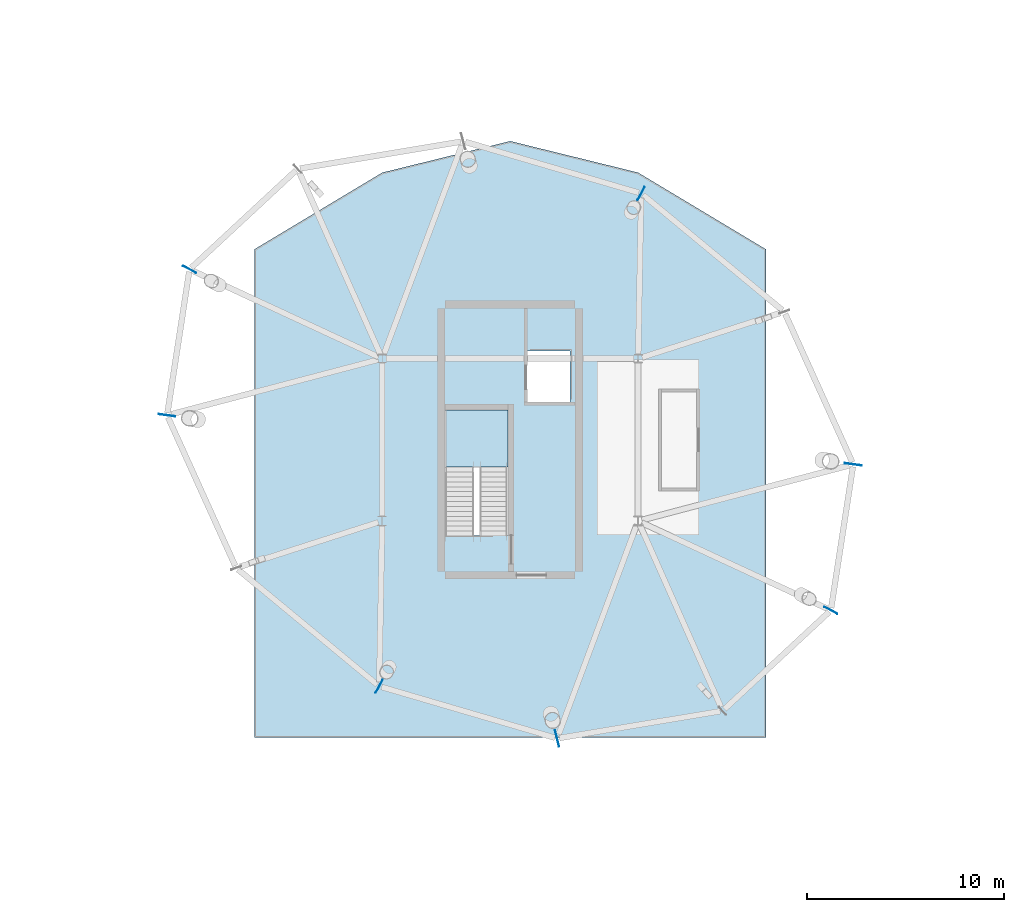
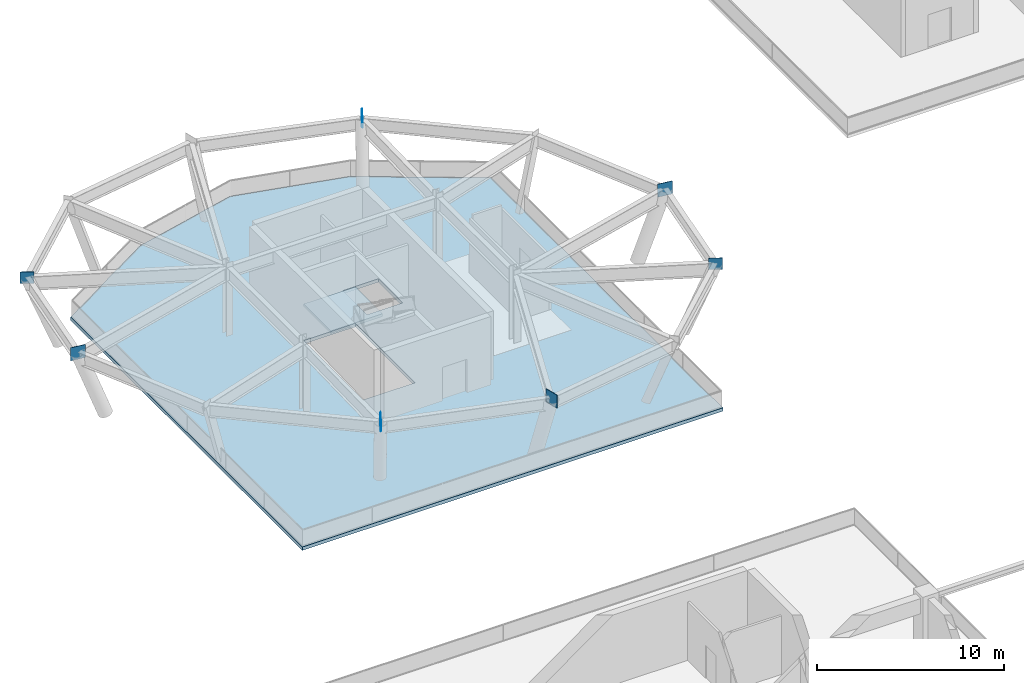
# One storey, part 52 of 91: 7 plates, 2 slabs, 1 element without a shape of its own.
"""IFC4 building model written with IfcOpenShell, lengths in metres."""

from ifc_helpers import new_model, si_unit, direction, frame, origin, origin_2d, place, context, subcontext, project, spatial, polyline, rectangle, outline, extrude, material, layer, layer_set, type_object, element, aggregate, save


model = new_model("IFC4")

# Units and contexts
model_context = context("Model", 3, precision=1e-05, world=origin(), true_north=direction((0.0, 1.0)))
body_context = subcontext(model_context, "Body", "Model", "MODEL_VIEW")
ifc_project = project(units=[si_unit("LENGTHUNIT", "METRE"), si_unit("AREAUNIT", "SQUARE_METRE"), si_unit("VOLUMEUNIT", "CUBIC_METRE"), si_unit("PLANEANGLEUNIT", "RADIAN"), si_unit("MASSUNIT", "GRAM", prefix="KILO")], contexts=[model_context])

# Site, building, storey
site_placement = place(None, origin())
site = spatial("IfcSite", under=ifc_project, at=site_placement, CompositionType="ELEMENT")
building_placement = place(site_placement, origin())
building = spatial("IfcBuilding", under=site, at=building_placement, Name="Linyun Crest Stadium", CompositionType="ELEMENT")
storey_placement = place(building_placement, frame((0.0, 0.0, 11.39990234375)))
storey = spatial("IfcBuildingStorey", under=building, at=storey_placement, Name="L03", CompositionType="ELEMENT", Elevation=11.39990234375)

# Plates
ifc_material_1 = material(Name="Steel Q420C", Category="steel")
ifc_layer_1 = layer(ifc_material_1, 0.028076171875)
ifc_layer_set_1 = layer_set([ifc_layer_1], Name="Steel Q420C")
plate_type = type_object("IfcPlateType", Name="EP03", PredefinedType="USERDEFINED", material=ifc_layer_set_1)
plate_1_placement = place(storey_placement, frame((-57.2119140625, 75.965087890625, 3.9697265625), z_axis=(0.0, 0.0, 1.0), x_axis=(0.883029517656, -0.46931745221, 0.0)))
element("IfcPlate", 1, at=plate_1_placement, inside=storey, type_object=plate_type, Name="Hollow section cap end plate EP03 342", ObjectType="END PLATE", PredefinedType="USERDEFINED", context=body_context, shape_type="SweptSolid", body=[
    extrude(rectangle(XDim=0.7509765625, YDim=0.028076171875, at=origin_2d()), origin(), (0.0, 0.0, 1.0), 0.7509765625),
])
plate_2_placement = place(storey_placement, frame((-56.072998046875, 83.37890625, 3.90966796875), z_axis=(0.0, 0.0, 1.0), x_axis=(0.990605176244, -0.136753006543, 0.0)))
element("IfcPlate", 2, at=plate_2_placement, inside=storey, type_object=plate_type, Name="Hollow section cap end plate EP03 347", ObjectType="END PLATE", PredefinedType="USERDEFINED", context=body_context, shape_type="SweptSolid", body=[
    extrude(rectangle(XDim=0.85302734375, YDim=0.028076171875, at=origin_2d()), origin(), (0.0, 0.0, 1.0), 0.85302734375),
])
for number, where, z_axis, x_axis, name in (
    (3, (-66.844970703125, 97.14306640625, 4.013671875), (0.0, 0.0, 1.0), (0.468855034724, 0.883275130644, 0.0), "Hollow section cap end plate EP03 357"),
    (4, (-89.7880859375, 93.284912109375, 3.9697265625), (0.0, 0.0, 1.0), (-0.883029517656, 0.46931745221, 0.0), "Hollow section cap end plate EP03 372"),
):
    element("IfcPlate", number, at=place(storey_placement, frame(where, z_axis=z_axis, x_axis=x_axis)), inside=storey, type_object=plate_type, Name=name, ObjectType="END PLATE", PredefinedType="USERDEFINED", context=body_context, shape_type="SweptSolid", body=[
        extrude(rectangle(XDim=0.7509765625, YDim=0.028076171875, at=origin_2d()), origin(), (0.0, 0.0, 1.0), 0.7509765625),
    ])
plate_3_placement = place(storey_placement, frame((-90.927001953125, 85.87109375, 3.90966796875), z_axis=(0.0, 0.0, 1.0), x_axis=(-0.990605176244, 0.136753006543, 0.0)))
element("IfcPlate", 5, at=plate_3_placement, inside=storey, type_object=plate_type, Name="Hollow section cap end plate EP03 377", ObjectType="END PLATE", PredefinedType="USERDEFINED", context=body_context, shape_type="SweptSolid", body=[
    extrude(rectangle(XDim=0.85302734375, YDim=0.028076171875, at=origin_2d()), origin(), (0.0, 0.0, 1.0), 0.85302734375),
])
plate_4_placement = place(storey_placement, frame((-80.155029296875, 72.10693359375, 4.013671875), z_axis=(0.0, 0.0, 1.0), x_axis=(-0.468855034724, -0.883275130644, 0.0)))
element("IfcPlate", 6, at=plate_4_placement, inside=storey, type_object=plate_type, Name="Hollow section cap end plate EP03 387", ObjectType="END PLATE", PredefinedType="USERDEFINED", context=body_context, shape_type="SweptSolid", body=[
    extrude(rectangle(XDim=0.7509765625, YDim=0.028076171875, at=origin_2d()), origin(), (0.0, 0.0, 1.0), 0.7509765625),
])
plate_5_placement = place(storey_placement, frame((-71.114990234375, 69.4580078125, 3.9345703125), z_axis=(0.0, 0.0, 1.0), x_axis=(0.246491603437, -0.969144926951, 0.0)))
element("IfcPlate", 7, at=plate_5_placement, inside=storey, type_object=plate_type, Name="Hollow section cap end plate EP03 392", ObjectType="END PLATE", PredefinedType="USERDEFINED", context=body_context, shape_type="SweptSolid", body=[
    extrude(rectangle(XDim=0.85302734375, YDim=0.028076171875, at=origin_2d()), origin(), (0.0, 0.0, 1.0), 0.85302734375),
])

# Slab
ifc_material_2 = material(Name="Concrete C40", Category="concrete")
ifc_layer_2 = layer(ifc_material_2, 0.219970703125)
ifc_layer_set_2 = layer_set([ifc_layer_2], Name="Concrete C40")
slab_type_1 = type_object("IfcSlabType", Name="FS03", PredefinedType="FLOOR", material=ifc_layer_set_2)
slab_1_placement = place(storey_placement, frame((0.0, 0.0, -0.219970703125)))
element("IfcSlab", 8, at=slab_1_placement, inside=storey, type_object=slab_type_1, Name="Slab FS03 V5 L03 49", PredefinedType="FLOOR", context=body_context, shape_type="SweptSolid", body=[
    extrude(outline(polyline([(-86.5, 69.5), (-60.5, 69.5), (-60.5, 94.300048828125), (-67.0, 98.199951171875), (-73.5, 99.800048828125), (-80.0, 98.199951171875), (-86.5, 94.300048828125), (-86.5, 69.5)]), holes=[polyline([(-76.800048828125, 79.77001953125), (-76.800048828125, 86.14990234375), (-73.60009765625, 86.14990234375), (-73.60009765625, 79.77001953125), (-76.800048828125, 79.77001953125)]), polyline([(-72.64990234375, 86.550048828125), (-72.64990234375, 89.14990234375), (-70.449951171875, 89.14990234375), (-70.449951171875, 86.550048828125), (-72.64990234375, 86.550048828125)])]), origin(), (0.0, 0.0, 1.0), 0.219970703125),
])

# Stair, slab
ifc_material_3 = material(Name="Concrete C40", Category="concrete")
stair_type = type_object("IfcStairType", Name="STA03", PredefinedType="HALF_TURN_STAIR", material=ifc_material_3)
stair_placement = place(storey_placement, origin())
stair = element("IfcStair", 9, at=stair_placement, inside=storey, type_object=stair_type, Name="Evacuation stair STR-11-L03", PredefinedType="HALF_TURN_STAIR")
ifc_material_4 = material(Name="Concrete C40", Category="concrete")
ifc_layer_3 = layer(ifc_material_4, 0.179931640625)
ifc_layer_set_3 = layer_set([ifc_layer_3], Name="Concrete C40")
slab_type_2 = type_object("IfcSlabType", Name="LS01", PredefinedType="LANDING", material=ifc_layer_set_3)
slab_2_placement = place(storey_placement, frame((0.0, 0.0, 2.22021484375)))
slab_2 = element("IfcSlab", 10, at=slab_2_placement, type_object=slab_type_2, Name="STR-11-L03 half-landing", PredefinedType="LANDING", context=body_context, shape_type="SweptSolid", body=[
    extrude(outline(polyline([(-76.800048828125, 83.239990234375), (-73.60009765625, 83.239990234375), (-73.60009765625, 86.14990234375), (-76.800048828125, 86.14990234375), (-76.800048828125, 83.239990234375)])), origin(), (0.0, 0.0, 1.0), 0.179931640625),
])
aggregate(stair, [slab_2])

save(model, "model.ifc")
